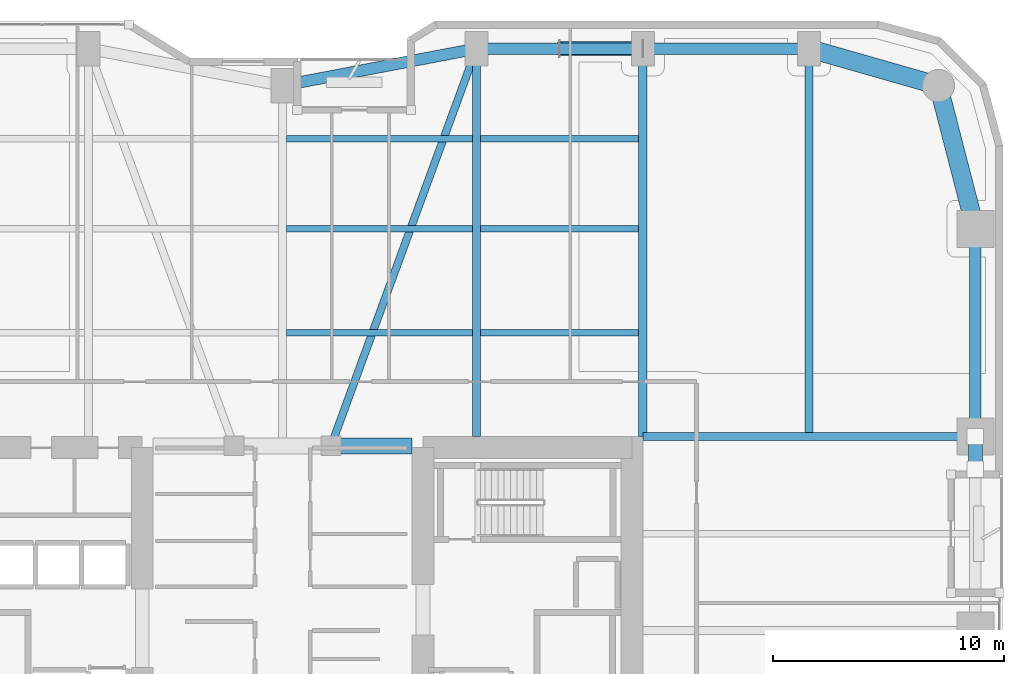
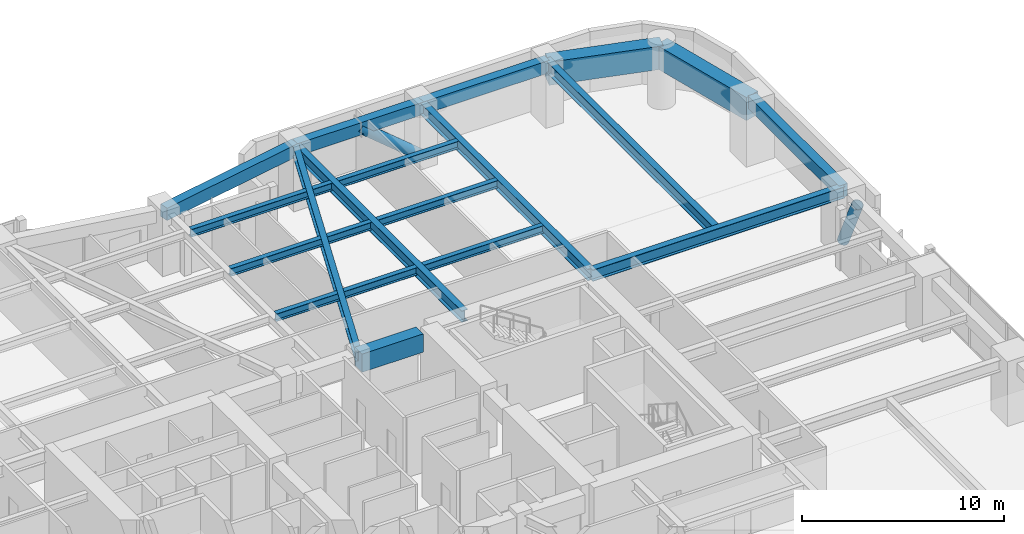
# One storey, part 18 of 28: 18 beams, 2 members.
"""IFC4 building model written with IfcOpenShell, lengths in metres."""

from ifc_helpers import new_model, si_unit, direction, frame, origin, origin_2d, place, context, subcontext, project, spatial, rectangle, hollow_circle, i_section, extrude, material, material_profile, profile_set, type_object, element, save


model = new_model("IFC4")

# Units and contexts
model_context = context("Model", 3, precision=1e-05, world=origin(), true_north=direction((0.0, 1.0)))
body_context = subcontext(model_context, "Body", "Model", "MODEL_VIEW")
ifc_project = project(units=[si_unit("LENGTHUNIT", "METRE"), si_unit("AREAUNIT", "SQUARE_METRE"), si_unit("VOLUMEUNIT", "CUBIC_METRE"), si_unit("PLANEANGLEUNIT", "RADIAN"), si_unit("MASSUNIT", "GRAM", prefix="KILO")], contexts=[model_context])

# Site, building, storey
site_placement = place(None, origin())
site = spatial("IfcSite", under=ifc_project, at=site_placement, CompositionType="ELEMENT")
building_placement = place(site_placement, origin())
building = spatial("IfcBuilding", under=site, at=building_placement, Name="Kiyonajd Concourse Tower", CompositionType="ELEMENT")
storey_placement = place(building_placement, frame((0.0, 0.0, 37.199951171875)))
storey = spatial("IfcBuildingStorey", under=building, at=storey_placement, Name="L10", CompositionType="ELEMENT", Elevation=37.199951171875)

# Beams
ifc_material_1 = material(Name="Concrete C70/85", Category="concrete")
ifc_material_profile_1 = material_profile(ifc_material_1, rectangle(XDim=0.699951171875, YDim=1.10009765625, at=origin_2d()), Name="RCBM-700x1100")
ifc_profile_set_1 = profile_set([ifc_material_profile_1], Name="Concrete C70/85")
beam_type_1 = type_object("IfcBeamType", Name="BM-COUP-1100", PredefinedType="LINTEL", material=ifc_profile_set_1)
beam_1_placement = place(storey_placement, frame((50.10009765625, 44.0, 3.090087890625), z_axis=(1.0, 0.0, 0.0), x_axis=(0.0, 1.0, 0.0)))
element("IfcBeam", 1, at=beam_1_placement, inside=storey, type_object=beam_type_1, Name="L10 Core Coupling Beam N3", PredefinedType="LINTEL", context=body_context, shape_type="SweptSolid", body=[
    extrude(rectangle(XDim=0.699951171875, YDim=1.10009765625, at=origin_2d()), origin(), (0.0, 0.0, 1.0), 3.5),
])
ifc_material_2 = material(Name="Steel ASTM A992 Grade 50", Category="steel")
ifc_material_profile_2 = material_profile(ifc_material_2, i_section(OverallWidth=0.280029296875, OverallDepth=0.462890625, WebThickness=0.0107421875, FlangeThickness=0.017333984375, at=origin_2d()), Name="W460X113")
ifc_profile_set_2 = profile_set([ifc_material_profile_2], Name="Steel ASTM A992 Grade 50")
beam_type_2 = type_object("IfcBeamType", Name="BM-JST-460A", PredefinedType="JOIST", material=ifc_profile_set_2)
beam_2_placement = place(storey_placement, frame((48.177490234375, 48.89990234375, 3.408447265625), z_axis=(1.0, 0.0, 0.0), x_axis=(0.0, 1.0, 0.0)))
element("IfcBeam", 2, at=beam_2_placement, inside=storey, type_object=beam_type_2, Name="L10 Secondary Floor Joist", PredefinedType="JOIST", context=body_context, shape_type="SweptSolid", body=[
    extrude(i_section(OverallWidth=0.280029296875, OverallDepth=0.462890625, WebThickness=0.0107421875, FlangeThickness=0.017333984375, at=origin_2d()), origin(), (0.0, 0.0, 1.0), 8.044921875),
])
beam_3_placement = place(storey_placement, frame((56.577392578125, 48.89990234375, 3.408447265625), z_axis=(1.0, 0.0, 0.0), x_axis=(0.0, 1.0, 0.0)))
element("IfcBeam", 3, at=beam_3_placement, inside=storey, type_object=beam_type_2, Name="L10 Secondary Floor Joist", PredefinedType="JOIST", context=body_context, shape_type="SweptSolid", body=[
    extrude(i_section(OverallWidth=0.280029296875, OverallDepth=0.462890625, WebThickness=0.0107421875, FlangeThickness=0.017333984375, at=origin_2d()), origin(), (0.0, 0.0, 1.0), 6.84521484375),
])
beam_4_placement = place(storey_placement, frame((48.177490234375, 53.39990234375, 3.408447265625), z_axis=(1.0, 0.0, 0.0), x_axis=(0.0, 1.0, 0.0)))
element("IfcBeam", 4, at=beam_4_placement, inside=storey, type_object=beam_type_2, Name="L10 Secondary Floor Joist", PredefinedType="JOIST", context=body_context, shape_type="SweptSolid", body=[
    extrude(i_section(OverallWidth=0.280029296875, OverallDepth=0.462890625, WebThickness=0.0107421875, FlangeThickness=0.017333984375, at=origin_2d()), origin(), (0.0, 0.0, 1.0), 8.044921875),
])
beam_5_placement = place(storey_placement, frame((56.577392578125, 53.39990234375, 3.408447265625), z_axis=(1.0, 0.0, 0.0), x_axis=(0.0, 1.0, 0.0)))
element("IfcBeam", 5, at=beam_5_placement, inside=storey, type_object=beam_type_2, Name="L10 Secondary Floor Joist", PredefinedType="JOIST", context=body_context, shape_type="SweptSolid", body=[
    extrude(i_section(OverallWidth=0.280029296875, OverallDepth=0.462890625, WebThickness=0.0107421875, FlangeThickness=0.017333984375, at=origin_2d()), origin(), (0.0, 0.0, 1.0), 6.84521484375),
])
beam_6_placement = place(storey_placement, frame((48.177490234375, 57.300048828125, 3.408447265625), z_axis=(1.0, 0.0, 0.0), x_axis=(0.0, 1.0, 0.0)))
element("IfcBeam", 6, at=beam_6_placement, inside=storey, type_object=beam_type_2, Name="L10 Secondary Floor Joist", PredefinedType="JOIST", context=body_context, shape_type="SweptSolid", body=[
    extrude(i_section(OverallWidth=0.280029296875, OverallDepth=0.462890625, WebThickness=0.0107421875, FlangeThickness=0.017333984375, at=origin_2d()), origin(), (0.0, 0.0, 1.0), 8.044921875),
])
beam_7_placement = place(storey_placement, frame((56.577392578125, 57.300048828125, 3.408447265625), z_axis=(1.0, 0.0, 0.0), x_axis=(0.0, 1.0, 0.0)))
element("IfcBeam", 7, at=beam_7_placement, inside=storey, type_object=beam_type_2, Name="L10 Secondary Floor Joist", PredefinedType="JOIST", context=body_context, shape_type="SweptSolid", body=[
    extrude(i_section(OverallWidth=0.280029296875, OverallDepth=0.462890625, WebThickness=0.0107421875, FlangeThickness=0.017333984375, at=origin_2d()), origin(), (0.0, 0.0, 1.0), 6.84521484375),
])
ifc_material_3 = material(Name="Precast concrete C50/60", Category="concrete")
ifc_material_profile_3 = material_profile(ifc_material_3, rectangle(XDim=0.5, YDim=0.75, at=origin_2d()), Name="RCBM-500x750")
ifc_profile_set_3 = profile_set([ifc_material_profile_3], Name="Precast concrete C50/60")
beam_type_3 = type_object("IfcBeamType", Name="BM-SPAN-RC", PredefinedType="SPANDREL", material=ifc_profile_set_3)
beam_8_placement = place(storey_placement, frame((78.0, 44.39990234375, 3.26513671875), z_axis=(0.0, 1.0, 0.0), x_axis=(-1.0, 0.0, 0.0)))
element("IfcBeam", 8, at=beam_8_placement, inside=storey, type_object=beam_type_3, Name="L10 Perimeter Bundled Tube Spandrel", PredefinedType="SPANDREL", context=body_context, shape_type="SweptSolid", body=[
    extrude(rectangle(XDim=0.5, YDim=0.75, at=origin_2d()), origin(), (0.0, 0.0, 1.0), 9.0),
])
beam_9_placement = place(storey_placement, frame((70.800048828125, 61.199951171875, 3.26513671875), z_axis=(-1.0, 0.0, 0.0), x_axis=(0.0, -1.0, 0.0)))
element("IfcBeam", 9, at=beam_9_placement, inside=storey, type_object=beam_type_3, Name="L10 Perimeter Bundled Tube Spandrel", PredefinedType="SPANDREL", context=body_context, shape_type="SweptSolid", body=[
    extrude(rectangle(XDim=0.5, YDim=0.75, at=origin_2d()), origin(), (0.0, 0.0, 1.0), 7.199951171875),
])
beam_10_placement = place(storey_placement, frame((63.60009765625, 61.199951171875, 3.26513671875), z_axis=(-1.0, 0.0, 0.0), x_axis=(0.0, -1.0, 0.0)))
element("IfcBeam", 10, at=beam_10_placement, inside=storey, type_object=beam_type_3, Name="L10 Perimeter Bundled Tube Spandrel", PredefinedType="SPANDREL", context=body_context, shape_type="SweptSolid", body=[
    extrude(rectangle(XDim=0.5, YDim=0.75, at=origin_2d()), origin(), (0.0, 0.0, 1.0), 7.2001953125),
])
beam_11_placement = place(storey_placement, frame((56.39990234375, 61.199951171875, 3.26513671875), z_axis=(-0.982341315253, -0.187097675953, 0.0), x_axis=(0.187097675953, -0.982341315253, 0.0)))
element("IfcBeam", 11, at=beam_11_placement, inside=storey, type_object=beam_type_3, Name="L10 Perimeter Bundled Tube Spandrel", PredefinedType="SPANDREL", context=body_context, shape_type="SweptSolid", body=[
    extrude(rectangle(XDim=0.5, YDim=0.75, at=origin_2d()), origin(), (0.0, 0.0, 1.0), 8.55078125),
])
ifc_material_profile_4 = material_profile(ifc_material_2, i_section(OverallWidth=0.326904296875, OverallDepth=0.6220703125, WebThickness=0.015380859375, FlangeThickness=0.0244140625, at=origin_2d()), Name="W610X195")
ifc_profile_set_4 = profile_set([ifc_material_profile_4], Name="Steel ASTM A992 Grade 50")
beam_type_4 = type_object("IfcBeamType", Name="BM-TWR-610A", PredefinedType="BEAM", material=ifc_profile_set_4)
beam_12_placement = place(storey_placement, frame((50.10009765625, 44.0, 3.3291015625), z_axis=(0.343925269715, 0.938997022813, 0.0), x_axis=(-0.938997022813, 0.343925269715, 0.0)))
element("IfcBeam", 12, at=beam_12_placement, inside=storey, type_object=beam_type_4, Name="L10 Core Tie Girder", PredefinedType="BEAM", context=body_context, shape_type="SweptSolid", body=[
    extrude(i_section(OverallWidth=0.326904296875, OverallDepth=0.6220703125, WebThickness=0.015380859375, FlangeThickness=0.0244140625, at=origin_2d()), origin(), (0.0, 0.0, 1.0), 18.3173828125),
])
ifc_material_profile_5 = material_profile(ifc_material_2, i_section(OverallWidth=0.35498046875, OverallDepth=0.695068359375, WebThickness=0.015380859375, FlangeThickness=0.02490234375, at=origin_2d()), Name="W690X217")
ifc_profile_set_5 = profile_set([ifc_material_profile_5], Name="Steel ASTM A992 Grade 50")
beam_type_5 = type_object("IfcBeamType", Name="BM-TWR-690", PredefinedType="BEAM", material=ifc_profile_set_5)
for number, where, z_axis, x_axis, name in (
    (13, (56.39990234375, 44.39990234375, 3.29248046875), (0.0, 1.0, 0.0), (-1.0, 0.0, 0.0), "L10 North Lease Girder"),
    (14, (63.60009765625, 44.39990234375, 3.29248046875), (0.0, 1.0, 0.0), (-1.0, 0.0, 0.0), "L10 North Lease Girder"),
    (15, (70.800048828125, 44.39990234375, 3.29248046875), (0.0, 1.0, 0.0), (-1.0, 0.0, 0.0), "L10 North Lease Girder"),
):
    element("IfcBeam", number, at=place(storey_placement, frame(where, z_axis=z_axis, x_axis=x_axis)), inside=storey, type_object=beam_type_5, Name=name, PredefinedType="BEAM", context=body_context, shape_type="SweptSolid", body=[
        extrude(i_section(OverallWidth=0.35498046875, OverallDepth=0.695068359375, WebThickness=0.015380859375, FlangeThickness=0.02490234375, at=origin_2d()), origin(), (0.0, 0.0, 1.0), 16.800048828125),
    ])
beam_13_placement = place(storey_placement, frame((63.60009765625, 44.39990234375, 3.29248046875), z_axis=(1.0, 0.0, 0.0), x_axis=(0.0, 1.0, 0.0)))
element("IfcBeam", 16, at=beam_13_placement, inside=storey, type_object=beam_type_5, Name="L10 East Lease Girder", PredefinedType="BEAM", context=body_context, shape_type="SweptSolid", body=[
    extrude(i_section(OverallWidth=0.35498046875, OverallDepth=0.695068359375, WebThickness=0.015380859375, FlangeThickness=0.02490234375, at=origin_2d()), origin(), (0.0, 0.0, 1.0), 14.39990234375),
])
ifc_material_4 = material(Name="Concrete C60/75", Category="concrete")
ifc_material_profile_6 = material_profile(ifc_material_4, rectangle(XDim=0.800048828125, YDim=1.39990234375, at=origin_2d()), Name="RCBM-800x1400")
ifc_profile_set_6 = profile_set([ifc_material_profile_6], Name="Concrete C60/75")
beam_type_6 = type_object("IfcBeamType", Name="BM-XFER-RC", PredefinedType="BEAM", material=ifc_profile_set_6)
beam_14_placement = place(storey_placement, frame((78.0, 53.39990234375, 2.93994140625), z_axis=(-0.249884937687, 0.968275538221, 0.0), x_axis=(-0.968275538221, -0.249884937687, 0.0)))
element("IfcBeam", 17, at=beam_14_placement, inside=storey, type_object=beam_type_6, Name="L10 Perimeter Bundled Tube Spandrel", PredefinedType="BEAM", context=body_context, shape_type="SweptSolid", body=[
    extrude(rectangle(XDim=0.800048828125, YDim=1.39990234375, at=origin_2d()), origin(), (0.0, 0.0, 1.0), 6.4033203125),
])
beam_15_placement = place(storey_placement, frame((76.39990234375, 59.60009765625, 2.93994140625), z_axis=(-0.961528693205, 0.274704517878, 0.0), x_axis=(-0.274704517878, -0.961528693205, 0.0)))
element("IfcBeam", 18, at=beam_15_placement, inside=storey, type_object=beam_type_6, Name="L10 Perimeter Bundled Tube Spandrel", PredefinedType="BEAM", context=body_context, shape_type="SweptSolid", body=[
    extrude(rectangle(XDim=0.800048828125, YDim=1.39990234375, at=origin_2d()), origin(), (0.0, 0.0, 1.0), 5.823974609375),
])

# Members
ifc_material_5 = material(Name="Steel ASTM A572 Grade 50", Category="steel")
ifc_material_profile_7 = material_profile(ifc_material_5, hollow_circle(Radius=0.304931640625, WallThickness=0.02490234375, at=origin_2d()), Name="CHS-610x25")
ifc_profile_set_7 = profile_set([ifc_material_profile_7], Name="Steel ASTM A572 Grade 50")
member_type = type_object("IfcMemberType", Name="MB-PB-LOW", PredefinedType="BRACE", material=ifc_profile_set_7)
member_1_placement = place(storey_placement, frame((63.60009765625, 61.199951171875, 0.300048828125), z_axis=(-0.769280705518, 0.0, 0.638910945373), x_axis=(0.0, -1.0, 0.0)))
element("IfcMember", 19, at=member_1_placement, inside=storey, type_object=member_type, Name="L10 Lower Zone Welded Tube Brace PBN", PredefinedType="BRACE", context=body_context, shape_type="SweptSolid", body=[
    extrude(hollow_circle(Radius=0.304931640625, WallThickness=0.02490234375, at=origin_2d()), origin(), (0.0, 0.0, 1.0), 4.679931640625),
])
member_2_placement = place(storey_placement, frame((78.0, 44.39990234375, 0.300048828125), z_axis=(0.0, -0.424022702926, 0.905651559598), x_axis=(1.0, 0.0, 0.0)))
element("IfcMember", 20, at=member_2_placement, inside=storey, type_object=member_type, Name="L10 Lower Zone Welded Tube Brace PBE", PredefinedType="BRACE", context=body_context, shape_type="SweptSolid", body=[
    extrude(hollow_circle(Radius=0.304931640625, WallThickness=0.02490234375, at=origin_2d()), origin(), (0.0, 0.0, 1.0), 3.301513671875),
])

save(model, "model.ifc")
